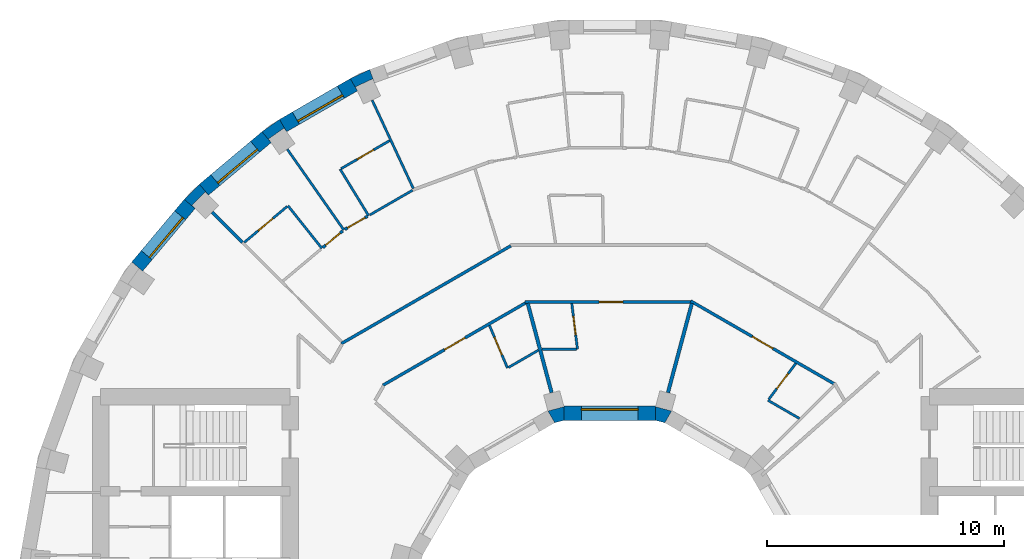
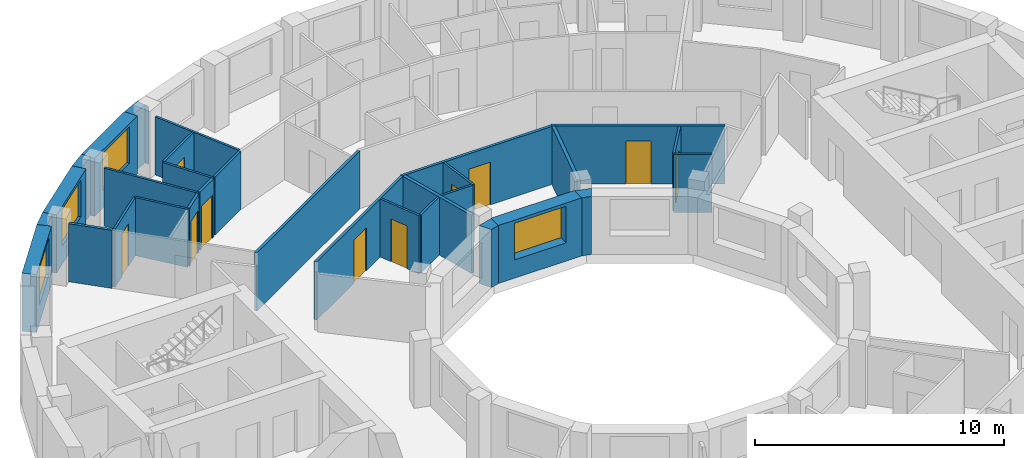
# One storey, part 11 of 15: 31 walls, 10 doors, 4 windows, 14 openings.
"""IFC4 building model written with IfcOpenShell, lengths in metres."""

import ifcopenshell
import ifcopenshell.guid

model = None  # the IFC model being written
_history = None  # IfcOwnerHistory: only IFC2X3 demands one
_inside = {}  # id of a spatial element -> (the spatial element, [elements in it])
_under = {}  # id of a project, library or spatial element -> (it, [spatial elements below it])
_declared = {}  # id of a project -> (the project, [libraries it declares])
_typed = {}  # id of a type object -> (the type object, [elements of that type])
_made_of = {}  # id of a material, layer set ... -> (it, [elements and type objects made of it])


def new_model(schema):
    """Start an empty IFC model of exactly this schema.

    Asked for "IFC4X3", IfcOpenShell would pick the latest addendum, in which some entities
    have other attributes; the version numbers below select the first issue.
    IFC2X3 requires an IfcOwnerHistory on every rooted entity: one is made here for all.
    """
    global model, _history
    if schema == "IFC4X3":
        model = ifcopenshell.file(schema_version=(4, 3, 0, 0))
    else:
        model = ifcopenshell.file(schema=schema)
    _inside.clear()
    _under.clear()
    _declared.clear()
    _typed.clear()
    _made_of.clear()
    _history = None
    if model.schema == "IFC2X3":
        org = make("IfcOrganization", Name="unknown")
        user = make(
            "IfcPersonAndOrganization",
            ThePerson=make("IfcPerson", FamilyName="unknown"),
            TheOrganization=org,
        )
        app = make(
            "IfcApplication",
            ApplicationDeveloper=org,
            Version="unknown",
            ApplicationFullName="unknown",
            ApplicationIdentifier="unknown",
        )
        _history = make(
            "IfcOwnerHistory",
            OwningUser=user,
            OwningApplication=app,
            ChangeAction="ADDED",
            CreationDate=0,
        )
    return model


def make(cls, **values):
    """One entity of the class cls with the attributes given. An attribute that is None is left unset."""
    return model.create_entity(
        cls, **{name: value for name, value in values.items() if value is not None}
    )


def rooted(cls, **values):
    """An entity with a GlobalId (a new one), such as an element, a storey or a relation."""
    return make(cls, GlobalId=ifcopenshell.guid.new(), OwnerHistory=_history, **values)


def si_unit(unit_type, name, prefix=None):
    """IfcSIUnit, for example si_unit("LENGTHUNIT", "METRE", prefix="MILLI")."""
    return make("IfcSIUnit", UnitType=unit_type, Prefix=prefix, Name=name)


def assignment(units):
    """IfcUnitAssignment: the units of a project."""
    return None if units is None else make("IfcUnitAssignment", Units=units)


def point(xyz):
    """IfcCartesianPoint."""
    return None if xyz is None else make("IfcCartesianPoint", Coordinates=xyz)


def direction(xyz):
    """IfcDirection."""
    return None if xyz is None else make("IfcDirection", DirectionRatios=xyz)


def frame(location, z_axis=None, x_axis=None):
    """IfcAxis2Placement3D, a coordinate frame: its origin and axes. An axis left out is left unset."""
    return make(
        "IfcAxis2Placement3D",
        Location=point(location),
        Axis=direction(z_axis),
        RefDirection=direction(x_axis),
    )


def frame_2d(location, x_axis=None):
    """IfcAxis2Placement2D, a coordinate frame in the plane: its origin and x axis."""
    return make(
        "IfcAxis2Placement2D", Location=point(location), RefDirection=direction(x_axis)
    )


def origin():
    """The frame at (0, 0, 0) with its axes left unset."""
    return frame((0.0, 0.0, 0.0))


def place(relative_to, where):
    """IfcLocalPlacement: puts the frame where relative to a parent placement (None: the world)."""
    return make(
        "IfcLocalPlacement", PlacementRelTo=relative_to, RelativePlacement=where
    )


def context(
    kind, dimensions, precision=None, world=None, true_north=None, identifier=None
):
    """IfcGeometricRepresentationContext, for example the 3D "Model" context."""
    return make(
        "IfcGeometricRepresentationContext",
        ContextIdentifier=identifier,
        ContextType=kind,
        CoordinateSpaceDimension=dimensions,
        Precision=precision,
        WorldCoordinateSystem=world,
        TrueNorth=true_north,
    )


def subcontext(parent, identifier, kind, view, scale=None):
    """IfcGeometricRepresentationSubContext, for example "Body" below "Model"."""
    return make(
        "IfcGeometricRepresentationSubContext",
        ContextIdentifier=identifier,
        ContextType=kind,
        ParentContext=parent,
        TargetScale=scale,
        TargetView=view,
    )


def project(units=None, contexts=None):
    """IfcProject with its units and contexts."""
    return rooted(
        "IfcProject",
        Name="project",
        RepresentationContexts=contexts,
        UnitsInContext=assignment(units),
    )


def spatial(cls, under=None, at=None, **own):
    """A site, building, storey or space (cls), placed at a placement, below another one or the project."""
    s = rooted(cls, ObjectPlacement=at, **own)
    if under is not None:
        _under.setdefault(under.id(), (under, []))[1].append(s)
    return s


def polyline(points):
    """IfcPolyline through the points."""
    return make("IfcPolyline", Points=[point(p) for p in points])


def profile(cls, at=None, kind="AREA", **sizes):
    """A parametric profile (cls). Its sizes go by their IFC names, for example OverallWidth=200.0."""
    return make(cls, ProfileType=kind, Position=at, **sizes)


def rectangle(**sizes):
    """IfcRectangleProfileDef."""
    return profile("IfcRectangleProfileDef", **sizes)


def outline(outer, holes=None, kind="AREA"):
    """IfcArbitraryClosedProfileDef: a profile drawn as a closed curve; with holes, ...WithVoids."""
    if holes is None:
        return make("IfcArbitraryClosedProfileDef", ProfileType=kind, OuterCurve=outer)
    return make(
        "IfcArbitraryProfileDefWithVoids",
        ProfileType=kind,
        OuterCurve=outer,
        InnerCurves=holes,
    )


def extrude(swept, where, along, depth):
    """IfcExtrudedAreaSolid: the profile swept, set in the frame where, extruded along a direction by depth."""
    return make(
        "IfcExtrudedAreaSolid",
        SweptArea=swept,
        Position=where,
        ExtrudedDirection=direction(along),
        Depth=depth,
    )


def shape(context_of_items, identifier, shape_type, items):
    """IfcShapeRepresentation: the items that make up one representation, for example the "Body"."""
    return make(
        "IfcShapeRepresentation",
        ContextOfItems=context_of_items,
        RepresentationIdentifier=identifier,
        RepresentationType=shape_type,
        Items=items,
    )


def material(Name=None, Category=None):
    """IfcMaterial."""
    return make("IfcMaterial", Name=Name, Category=Category)


def layer(
    of_material, thickness, ventilated=None, Name=None, Category=None, Priority=None
):
    """IfcMaterialLayer: one layer of a wall or slab, of a material (None: an air gap)."""
    return make(
        "IfcMaterialLayer",
        Material=of_material,
        LayerThickness=thickness,
        IsVentilated=ventilated,
        Name=Name,
        Category=Category,
        Priority=Priority,
    )


def layer_set(layers, Name=None):
    """IfcMaterialLayerSet."""
    return make("IfcMaterialLayerSet", MaterialLayers=layers, LayerSetName=Name)


def made_of(thing, what):
    """Note that an element or type object is made of a material, layer set ...; save() writes the relation."""
    if what is not None:
        _made_of.setdefault(what.id(), (what, []))[1].append(thing)
    return thing


def type_object(cls, material=None, **own):
    """A type object (cls), such as IfcWallType, which elements share."""
    return made_of(rooted(cls, **own), material)


def element(
    cls,
    number,
    at=None,
    inside=None,
    cuts=None,
    type_object=None,
    material=None,
    context=None,
    identifier="Body",
    shape_type=None,
    held_by="IfcProductDefinitionShape",
    body=None,
    shapes=None,
    **own,
):
    """One element of the class cls, such as IfcWall. Its Tag is "e" and its number.

    at: its placement. inside: the storey or other place that contains it. cuts: it is an
    opening in that element (IfcRelVoidsElement). A single representation is given by context,
    identifier, shape_type and body (its items); several are given by shapes. held_by: the class
    of the entity that holds the representations. save() writes the other relations.
    """
    e = rooted(cls, Tag="e%d" % number, ObjectPlacement=at, **own)
    if body is not None:
        shapes = [shape(context, identifier, shape_type, body)]
    if shapes is not None:
        e.Representation = make(held_by, Representations=shapes)
    if inside is not None:
        _inside.setdefault(inside.id(), (inside, []))[1].append(e)
    if cuts is not None:
        rooted(
            "IfcRelVoidsElement", RelatingBuildingElement=cuts, RelatedOpeningElement=e
        )
    if type_object is not None:
        _typed.setdefault(type_object.id(), (type_object, []))[1].append(e)
    return made_of(e, material)


def fill(opening, filler):
    """IfcRelFillsElement: the door or window that sits in an opening."""
    return rooted(
        "IfcRelFillsElement",
        RelatingOpeningElement=opening,
        RelatedBuildingElement=filler,
    )


def aggregate(whole, parts):
    """IfcRelAggregates: a whole, such as a stair, and the parts it consists of."""
    return rooted("IfcRelAggregates", RelatingObject=whole, RelatedObjects=parts)


def save(model, path):
    """Write the relations noted so far, then the file.

    IfcRelAggregates (storeys below a building ...), IfcRelContainedInSpatialStructure (elements
    in a storey), IfcRelDefinesByType, IfcRelAssociatesMaterial and IfcRelDeclares: one each for
    every whole, place, type object, material and project.
    """
    for whole, parts in _under.values():
        aggregate(whole, parts)
    for where, things in _inside.values():
        rooted(
            "IfcRelContainedInSpatialStructure",
            RelatedElements=things,
            RelatingStructure=where,
        )
    for kind, things in _typed.values():
        rooted("IfcRelDefinesByType", RelatedObjects=things, RelatingType=kind)
    for what, things in _made_of.values():
        rooted("IfcRelAssociatesMaterial", RelatedObjects=things, RelatingMaterial=what)
    for by, libraries in _declared.values():
        rooted("IfcRelDeclares", RelatingContext=by, RelatedDefinitions=libraries)
    model.write(path)


model = new_model("IFC4")

# Units and contexts
model_context = context("Model", 3, precision=1e-05, world=origin(), true_north=direction((0.0, 1.0)))
body_context = subcontext(model_context, "Body", "Model", "MODEL_VIEW")
ifc_project = project(units=[si_unit("LENGTHUNIT", "METRE"), si_unit("AREAUNIT", "SQUARE_METRE"), si_unit("VOLUMEUNIT", "CUBIC_METRE"), si_unit("PLANEANGLEUNIT", "RADIAN"), si_unit("MASSUNIT", "GRAM", prefix="KILO")], contexts=[model_context])

# Site, building, storey
site_placement = place(None, origin())
site = spatial("IfcSite", under=ifc_project, at=site_placement, CompositionType="ELEMENT")
building_placement = place(site_placement, origin())
building = spatial("IfcBuilding", under=site, at=building_placement, Name="Saqina Gate Tower", CompositionType="ELEMENT")
storey_placement = place(building_placement, frame((0.0, 0.0, 164.10009765625)))
storey = spatial("IfcBuildingStorey", under=building, at=storey_placement, Name="L46", CompositionType="ELEMENT", Elevation=164.10009765625)

# Walls
ifc_material_1 = material(Name="Brick masonry (buff)", Category="masonry")
wall_type_1 = type_object("IfcWallType", Name="BRICK PIER COPING BUFF", PredefinedType="SOLIDWALL", material=ifc_material_1)
wall_1_placement = place(storey_placement, origin())
element("IfcWall", 1, at=wall_1_placement, inside=storey, type_object=wall_type_1, Name="Pier cap L46 column 12", PredefinedType="SOLIDWALL", context=body_context, shape_type="SweptSolid", body=[
    extrude(outline(polyline([(-10.958740234375, 22.4306640625), (-10.65869140625, 21.9111328125), (-10.73779296875, 22.080810546875), (-10.0126953125, 22.4189453125), (-9.93359375, 22.249267578125), (-10.138916015625, 22.81298828125), (-10.958740234375, 22.4306640625)])), origin(), (0.0, 0.0, 1.0), 2.849853515625),
])
wall_2_placement = place(storey_placement, origin())
element("IfcWall", 2, at=wall_2_placement, inside=storey, type_object=wall_type_1, Name="Pier cap L46 column 13", PredefinedType="SOLIDWALL", context=body_context, shape_type="SweptSolid", body=[
    extrude(outline(polyline([(-13.9462890625, 20.705810546875), (-14.687255859375, 20.18701171875), (-14.301513671875, 19.727294921875), (-14.408935546875, 19.880859375), (-13.753662109375, 20.339599609375), (-13.646240234375, 20.186279296875), (-13.9462890625, 20.705810546875)])), origin(), (0.0, 0.0, 1.0), 2.849853515625),
])
wall_3_placement = place(storey_placement, origin())
element("IfcWall", 3, at=wall_3_placement, inside=storey, type_object=wall_type_1, Name="Pier cap L46 column 14", PredefinedType="SOLIDWALL", context=body_context, shape_type="SweptSolid", body=[
    extrude(outline(polyline([(-17.969482421875, 17.329833984375), (-17.510009765625, 16.944091796875), (-17.642333984375, 17.07666015625), (-17.07666015625, 17.642333984375), (-16.944091796875, 17.510009765625), (-17.329833984375, 17.969482421875), (-17.969482421875, 17.329833984375)])), origin(), (0.0, 0.0, 1.0), 2.849853515625),
])

# Wall, opening, window
ifc_material_2 = material(Name="Brick masonry (buff)", Category="masonry")
ifc_layer_1 = layer(ifc_material_2, 0.60009765625)
ifc_layer_set_1 = layer_set([ifc_layer_1], Name="FW-BRICK-BUFF")
wall_type_2 = type_object("IfcWallType", Name="FW-BRICK-BUFF", PredefinedType="SOLIDWALL", material=ifc_layer_set_1)
wall_4_placement = place(storey_placement, frame((-10.80859375, 22.1708984375, 0.0), z_axis=(0.0, 0.0, 1.0), x_axis=(-0.86602648383, -0.499998129301, 0.0)))
wall_4 = element("IfcWall", 4, at=wall_4_placement, inside=storey, type_object=wall_type_2, Name="Facade wall L46 facet 12", PredefinedType="SOLIDWALL", context=body_context, shape_type="SweptSolid", body=[
    extrude(rectangle(XDim=3.44970703125, YDim=0.60009765625, at=frame_2d((1.724853515625, 0.0))), origin(), (0.0, 0.0, 1.0), 2.849853515625),
])
opening_1_placement = place(wall_4_placement, frame((0.625, 0.0, 0.89990234375)))
opening_1 = element("IfcOpeningElement", 5, at=opening_1_placement, cuts=wall_4, Name="Opening G13-W10", PredefinedType="OPENING", context=body_context, shape_type="SweptSolid", body=[
    extrude(rectangle(XDim=2.199951171875, YDim=1.800048828125, at=frame_2d((1.10009765625, 0.89990234375))), frame((0.0, 0.31201171875, 0.0), z_axis=(0.0, -1.0, 0.0), x_axis=(1.0, 0.0, 0.0)), (0.0, 0.0, 1.0), 0.6240234375),
])
ifc_material_3 = material(Name="Aluminium glazing", Category="aluminium")
window_type_1 = type_object("IfcWindowType", Name="WN-C", PartitioningType="SINGLE_PANEL", PredefinedType="WINDOW", material=ifc_material_3)
window_1_placement = place(opening_1_placement, origin())
window_1 = element("IfcWindow", 6, at=window_1_placement, inside=storey, type_object=window_type_1, Name="Window L46 facet 12", OverallHeight=1.800048828125, OverallWidth=2.199951171875, PartitioningType="SINGLE_PANEL", PredefinedType="WINDOW", context=body_context, shape_type="SweptSolid", body=[
    extrude(rectangle(XDim=2.199951171875, YDim=1.800048828125, at=frame_2d((1.10009765625, 0.89990234375))), frame((0.0, 0.179931640625, 0.0), z_axis=(0.0, -1.0, 0.0), x_axis=(1.0, 0.0, 0.0)), (0.0, 0.0, 1.0), 0.06005859375),
])
fill(opening_1, window_1)

wall_5_placement = place(storey_placement, frame((-14.494384765625, 19.95703125, 0.0), z_axis=(0.0, 0.0, 1.0), x_axis=(-0.766058884809, -0.642770398358, 0.0)))
wall_5 = element("IfcWall", 7, at=wall_5_placement, inside=storey, type_object=wall_type_2, Name="Facade wall L46 facet 13", PredefinedType="SOLIDWALL", context=body_context, shape_type="SweptSolid", body=[
    extrude(rectangle(XDim=3.449462890625, YDim=0.60009765625, at=frame_2d((1.724609375, 0.0))), origin(), (0.0, 0.0, 1.0), 2.849853515625),
])
opening_2_placement = place(wall_5_placement, frame((0.625, 0.0, 0.89990234375)))
opening_2 = element("IfcOpeningElement", 8, at=opening_2_placement, cuts=wall_5, Name="Opening G13-W11", PredefinedType="OPENING", context=body_context, shape_type="SweptSolid", body=[
    extrude(rectangle(XDim=2.199951171875, YDim=1.800048828125, at=frame_2d((1.10009765625, 0.89990234375))), frame((0.0, 0.31201171875, 0.0), z_axis=(0.0, -1.0, 0.0), x_axis=(1.0, 0.0, 0.0)), (0.0, 0.0, 1.0), 0.6240234375),
])
window_2_placement = place(opening_2_placement, origin())
window_2 = element("IfcWindow", 9, at=window_2_placement, inside=storey, type_object=window_type_1, Name="Window L46 facet 13", OverallHeight=1.800048828125, OverallWidth=2.199951171875, PartitioningType="SINGLE_PANEL", PredefinedType="WINDOW", context=body_context, shape_type="SweptSolid", body=[
    extrude(rectangle(XDim=2.199951171875, YDim=1.800048828125, at=frame_2d((1.10009765625, 0.89990234375))), frame((0.0, 0.179931640625, 0.0), z_axis=(0.0, -1.0, 0.0), x_axis=(1.0, 0.0, 0.0)), (0.0, 0.0, 1.0), 0.06005859375),
])
fill(opening_2, window_2)

wall_6_placement = place(storey_placement, frame((-17.73974609375, 17.136962890625, 0.0), z_axis=(0.0, 0.0, 1.0), x_axis=(-0.642770398358, -0.766058884809, 0.0)))
wall_6 = element("IfcWall", 10, at=wall_6_placement, inside=storey, type_object=wall_type_2, Name="Facade wall L46 facet 14", PredefinedType="SOLIDWALL", context=body_context, shape_type="SweptSolid", body=[
    extrude(rectangle(XDim=3.449462890625, YDim=0.60009765625, at=frame_2d((1.724609375, 0.0))), origin(), (0.0, 0.0, 1.0), 2.849853515625),
])
opening_3_placement = place(wall_6_placement, frame((0.625, 0.0, 0.89990234375)))
opening_3 = element("IfcOpeningElement", 11, at=opening_3_placement, cuts=wall_6, Name="Opening G13-W12", PredefinedType="OPENING", context=body_context, shape_type="SweptSolid", body=[
    extrude(rectangle(XDim=2.199951171875, YDim=1.800048828125, at=frame_2d((1.10009765625, 0.89990234375))), frame((0.0, 0.31201171875, 0.0), z_axis=(0.0, -1.0, 0.0), x_axis=(1.0, 0.0, 0.0)), (0.0, 0.0, 1.0), 0.6240234375),
])
window_3_placement = place(opening_3_placement, origin())
window_3 = element("IfcWindow", 12, at=window_3_placement, inside=storey, type_object=window_type_1, Name="Window L46 facet 14", OverallHeight=1.800048828125, OverallWidth=2.199951171875, PartitioningType="SINGLE_PANEL", PredefinedType="WINDOW", context=body_context, shape_type="SweptSolid", body=[
    extrude(rectangle(XDim=2.199951171875, YDim=1.800048828125, at=frame_2d((1.10009765625, 0.89990234375))), frame((0.0, 0.179931640625, 0.0), z_axis=(0.0, -1.0, 0.0), x_axis=(1.0, 0.0, 0.0)), (0.0, 0.0, 1.0), 0.06005859375),
])
fill(opening_3, window_3)

ifc_material_4 = material(Name="Glazed ceramic tile", Category="ceramic")
ifc_layer_2 = layer(ifc_material_4, 0.60009765625)
ifc_layer_set_2 = layer_set([ifc_layer_2], Name="IW-TILE")
wall_type_3 = type_object("IfcWallType", Name="IW-TILE", PredefinedType="SOLIDWALL", material=ifc_layer_set_2)
wall_7_placement = place(storey_placement, frame((1.934814453125, 8.300048828125, 0.0), z_axis=(0.0, 0.0, 1.0), x_axis=(-1.0, 0.0, 0.0)))
wall_7 = element("IfcWall", 13, at=wall_7_placement, inside=storey, type_object=wall_type_3, Name="Well wall L46 facet 3", PredefinedType="SOLIDWALL", context=body_context, shape_type="SweptSolid", body=[
    extrude(rectangle(XDim=3.86962890625, YDim=0.60009765625, at=frame_2d((1.934814453125, 0.0))), origin(), (0.0, 0.0, 1.0), 2.849853515625),
])
opening_4_placement = place(wall_7_placement, frame((0.73486328125, 0.0, 0.89990234375)))
opening_4 = element("IfcOpeningElement", 14, at=opening_4_placement, cuts=wall_7, Name="Opening G13-W25", PredefinedType="OPENING", context=body_context, shape_type="SweptSolid", body=[
    extrude(rectangle(XDim=2.39990234375, YDim=1.800048828125, at=frame_2d((1.199951171875, 0.89990234375))), frame((0.0, 0.31201171875, 0.0), z_axis=(0.0, -1.0, 0.0), x_axis=(1.0, 0.0, 0.0)), (0.0, 0.0, 1.0), 0.6240234375),
])
ifc_material_5 = material(Name="Aluminium glazing", Category="aluminium")
window_type_2 = type_object("IfcWindowType", Name="WN-W", PartitioningType="SINGLE_PANEL", PredefinedType="WINDOW", material=ifc_material_5)
window_4_placement = place(opening_4_placement, origin())
window_4 = element("IfcWindow", 15, at=window_4_placement, inside=storey, type_object=window_type_2, Name="Well window L46 facet 3", OverallHeight=1.800048828125, OverallWidth=2.39990234375, PartitioningType="SINGLE_PANEL", PredefinedType="WINDOW", context=body_context, shape_type="SweptSolid", body=[
    extrude(rectangle(XDim=2.39990234375, YDim=1.800048828125, at=frame_2d((1.199951171875, 0.89990234375))), frame((0.0, -0.119873046875, 0.0), z_axis=(0.0, -1.0, 0.0), x_axis=(1.0, 0.0, 0.0)), (0.0, 0.0, 1.0), 0.06005859375),
])
fill(opening_4, window_4)

# Wall, opening, door
ifc_material_6 = material(Name="Gypsum board on steel studs, 100 mm", Category="steel")
ifc_layer_3 = layer(ifc_material_6, 0.10009765625)
ifc_layer_set_3 = layer_set([ifc_layer_3], Name="PARTITION 100")
wall_type_4 = type_object("IfcWallType", Name="PARTITION 100", PredefinedType="PARTITIONING", material=ifc_layer_set_3)
wall_8_placement = place(storey_placement, frame((-1.604248046875, 12.93798828125, 0.0), z_axis=(0.0, 0.0, 1.0), x_axis=(0.123019127117, -0.992404299851, 0.0)))
wall_8 = element("IfcWall", 16, at=wall_8_placement, inside=storey, type_object=wall_type_4, Name="PARTITION PW3-04", PredefinedType="PARTITIONING", context=body_context, shape_type="SweptSolid", body=[
    extrude(rectangle(XDim=1.952880859375, YDim=0.10009765625, at=frame_2d((0.9765625, 0.0))), origin(), (0.0, 0.0, 1.0), 2.849853515625),
])
opening_5_placement = place(wall_8_placement, frame((0.545166015625, 0.0, 0.0)))
opening_5 = element("IfcOpeningElement", 17, at=opening_5_placement, cuts=wall_8, Name="Opening G13-D16", PredefinedType="OPENING", context=body_context, shape_type="SweptSolid", body=[
    extrude(rectangle(XDim=0.800048828125, YDim=2.10009765625, at=frame_2d((0.39990234375, 1.050048828125))), frame((0.0, 0.06201171875, 0.0), z_axis=(0.0, -1.0, 0.0), x_axis=(1.0, 0.0, 0.0)), (0.0, 0.0, 1.0), 0.1240234375),
])
ifc_material_7 = material(Name="Timber door leaf, 800 mm", Category="wood")
door_type_1 = type_object("IfcDoorType", Name="DOOR 800 TIMBER", OperationType="SINGLE_SWING_LEFT", PredefinedType="DOOR", material=ifc_material_7)
door_1_placement = place(opening_5_placement, origin())
door_1 = element("IfcDoor", 18, at=door_1_placement, inside=storey, type_object=door_type_1, Name="DOOR G13-D16", OperationType="SINGLE_SWING_LEFT", OverallHeight=2.10009765625, OverallWidth=0.800048828125, PredefinedType="DOOR", context=body_context, shape_type="SweptSolid", body=[
    extrude(rectangle(XDim=0.800048828125, YDim=2.10009765625, at=frame_2d((0.39990234375, 1.050048828125))), frame((0.0, 0.02490234375, 0.0), z_axis=(0.0, -1.0, 0.0), x_axis=(1.0, 0.0, 0.0)), (0.0, 0.0, 1.0), 0.050048828125),
])
fill(opening_5, door_1)

wall_9_placement = place(storey_placement, frame((-5.07958984375, 12.00634765625, 0.0), z_axis=(0.0, 0.0, 1.0), x_axis=(0.389493140841, -0.92102936611, 0.0)))
wall_9 = element("IfcWall", 19, at=wall_9_placement, inside=storey, type_object=wall_type_4, Name="PARTITION PW3-08", PredefinedType="PARTITIONING", context=body_context, shape_type="SweptSolid", body=[
    extrude(rectangle(XDim=1.95263671875, YDim=0.10009765625, at=frame_2d((0.976318359375, 0.0))), origin(), (0.0, 0.0, 1.0), 2.849853515625),
])
opening_6_placement = place(wall_9_placement, frame((0.545166015625, 0.0, 0.0)))
opening_6 = element("IfcOpeningElement", 20, at=opening_6_placement, cuts=wall_9, Name="Opening G13-D20", PredefinedType="OPENING", context=body_context, shape_type="SweptSolid", body=[
    extrude(rectangle(XDim=0.800048828125, YDim=2.10009765625, at=frame_2d((0.39990234375, 1.050048828125))), frame((0.0, 0.06201171875, 0.0), z_axis=(0.0, -1.0, 0.0), x_axis=(1.0, 0.0, 0.0)), (0.0, 0.0, 1.0), 0.1240234375),
])
door_2_placement = place(opening_6_placement, frame((0.800048828125, 0.0, 0.0), z_axis=(0.0, 0.0, 1.0), x_axis=(-1.0, 0.0, 0.0)))
door_2 = element("IfcDoor", 21, at=door_2_placement, inside=storey, type_object=door_type_1, Name="DOOR G13-D20", OperationType="SINGLE_SWING_RIGHT", OverallHeight=2.10009765625, OverallWidth=0.800048828125, PredefinedType="DOOR", context=body_context, shape_type="SweptSolid", body=[
    extrude(rectangle(XDim=0.800048828125, YDim=2.10009765625, at=frame_2d((0.39990234375, 1.050048828125))), frame((0.0, 0.02490234375, 0.0), z_axis=(0.0, -1.0, 0.0), x_axis=(1.0, 0.0, 0.0)), (0.0, 0.0, 1.0), 0.050048828125),
])
fill(opening_6, door_2)

# Walls
wall_10_placement = place(storey_placement, frame((-10.032470703125, 21.51611328125, 0.0), z_axis=(0.0, 0.0, 1.0), x_axis=(0.422407439585, -0.906406065173, 0.0)))
element("IfcWall", 22, at=wall_10_placement, inside=storey, type_object=wall_type_4, Name="PARTITION PW3-09", PredefinedType="PARTITIONING", context=body_context, shape_type="SweptSolid", body=[
    extrude(rectangle(XDim=4.110595703125, YDim=0.10009765625, at=frame_2d((2.05517578125, 0.0))), origin(), (0.0, 0.0, 1.0), 2.849853515625),
])
wall_11_placement = place(storey_placement, frame((-11.385009765625, 18.60498046875, 0.0), z_axis=(0.0, 0.0, 1.0), x_axis=(0.522076659847, -0.852898564451, 0.0)))
element("IfcWall", 23, at=wall_11_placement, inside=storey, type_object=wall_type_4, Name="PARTITION PW3-11", PredefinedType="PARTITIONING", context=body_context, shape_type="SweptSolid", body=[
    extrude(rectangle(XDim=2.30029296875, YDim=0.10009765625, at=frame_2d((1.150146484375, 0.0))), origin(), (0.0, 0.0, 1.0), 2.849853515625),
])
wall_12_placement = place(storey_placement, frame((-13.616943359375, 19.446533203125, 0.0), z_axis=(0.0, 0.0, 1.0), x_axis=(0.573631652668, -0.819113378634, 0.0)))
element("IfcWall", 24, at=wall_12_placement, inside=storey, type_object=wall_type_4, Name="PARTITION PW3-13", PredefinedType="PARTITIONING", context=body_context, shape_type="SweptSolid", body=[
    extrude(rectangle(XDim=4.1611328125, YDim=0.10009765625, at=frame_2d((2.08056640625, 0.0))), origin(), (0.0, 0.0, 1.0), 2.849853515625),
])
wall_13_placement = place(storey_placement, frame((-13.589111328125, 17.06103515625, 0.0), z_axis=(0.0, 0.0, 1.0), x_axis=(0.623062698495, -0.782171895266, 0.0)))
element("IfcWall", 25, at=wall_13_placement, inside=storey, type_object=wall_type_4, Name="PARTITION PW3-15", PredefinedType="PARTITIONING", context=body_context, shape_type="SweptSolid", body=[
    extrude(rectangle(XDim=2.300048828125, YDim=0.10009765625, at=frame_2d((1.14990234375, 0.0))), origin(), (0.0, 0.0, 1.0), 2.849853515625),
])
wall_14_placement = place(storey_placement, frame((6.680908203125, 8.843994140625, 0.0), z_axis=(0.0, 0.0, 1.0), x_axis=(0.866336585673, -0.499460629403, 0.0)))
element("IfcWall", 26, at=wall_14_placement, inside=storey, type_object=wall_type_4, Name="PARTITION PW3-24", PredefinedType="PARTITIONING", context=body_context, shape_type="SweptSolid", body=[
    extrude(rectangle(XDim=1.533935546875, YDim=0.10009765625, at=frame_2d((0.76708984375, 0.0))), origin(), (0.0, 0.0, 1.0), 2.849853515625),
])
wall_15_placement = place(storey_placement, frame((-2.8720703125, 11.0, 0.0), z_axis=(0.0, 0.0, 1.0), x_axis=(1.0, 0.0, 0.0)))
element("IfcWall", 27, at=wall_15_placement, inside=storey, type_object=wall_type_4, Name="PARTITION PW3-34", PredefinedType="PARTITIONING", context=body_context, shape_type="SweptSolid", body=[
    extrude(rectangle(XDim=1.4580078125, YDim=0.10009765625, at=frame_2d((0.72900390625, 0.0))), origin(), (0.0, 0.0, 1.0), 2.849853515625),
])
wall_16_placement = place(storey_placement, frame((-4.275634765625, 10.23291015625, 0.0), z_axis=(0.0, 0.0, 1.0), x_axis=(0.866051847062, 0.499954196102, 0.0)))
element("IfcWall", 28, at=wall_16_placement, inside=storey, type_object=wall_type_4, Name="PARTITION PW3-44", PredefinedType="PARTITIONING", context=body_context, shape_type="SweptSolid", body=[
    extrude(rectangle(XDim=1.459228515625, YDim=0.10009765625, at=frame_2d((0.7294921875, 0.0))), origin(), (0.0, 0.0, 1.0), 2.849853515625),
])
wall_17_placement = place(storey_placement, frame((-10.1298828125, 16.67431640625, 0.0), z_axis=(0.0, 0.0, 1.0), x_axis=(0.866052632827, 0.499952834948, 0.0)))
element("IfcWall", 29, at=wall_17_placement, inside=storey, type_object=wall_type_4, Name="PARTITION PW3-45", PredefinedType="PARTITIONING", context=body_context, shape_type="SweptSolid", body=[
    extrude(rectangle(XDim=2.079345703125, YDim=0.10009765625, at=frame_2d((1.03955078125, 0.0))), origin(), (0.0, 0.0, 1.0), 2.849853515625),
])

# Wall, opening, door
wall_18_placement = place(storey_placement, frame((-11.341796875, 18.6298828125, 0.0), z_axis=(0.0, 0.0, 1.0), x_axis=(0.866139183788, 0.49980287545, 0.0)))
wall_18 = element("IfcWall", 30, at=wall_18_placement, inside=storey, type_object=wall_type_4, Name="PARTITION PW3-46", PredefinedType="PARTITIONING", context=body_context, shape_type="SweptSolid", body=[
    extrude(rectangle(XDim=2.365234375, YDim=0.10009765625, at=frame_2d((1.1826171875, 0.0))), origin(), (0.0, 0.0, 1.0), 2.849853515625),
])
opening_7_placement = place(wall_18_placement, frame((0.782470703125, 0.0, 0.0)))
opening_7 = element("IfcOpeningElement", 31, at=opening_7_placement, cuts=wall_18, Name="Opening G13-D21", PredefinedType="OPENING", context=body_context, shape_type="SweptSolid", body=[
    extrude(rectangle(XDim=0.800048828125, YDim=2.10009765625, at=frame_2d((0.39990234375, 1.050048828125))), frame((0.0, 0.06201171875, 0.0), z_axis=(0.0, -1.0, 0.0), x_axis=(1.0, 0.0, 0.0)), (0.0, 0.0, 1.0), 0.1240234375),
])
door_3_placement = place(opening_7_placement, origin())
door_3 = element("IfcDoor", 32, at=door_3_placement, inside=storey, type_object=door_type_1, Name="DOOR G13-D21", OperationType="SINGLE_SWING_RIGHT", OverallHeight=2.10009765625, OverallWidth=0.800048828125, PredefinedType="DOOR", context=body_context, shape_type="SweptSolid", body=[
    extrude(rectangle(XDim=0.800048828125, YDim=2.10009765625, at=frame_2d((0.39990234375, 1.050048828125))), frame((0.0, 0.02490234375, 0.0), z_axis=(0.0, -1.0, 0.0), x_axis=(1.0, 0.0, 0.0)), (0.0, 0.0, 1.0), 0.050048828125),
])
fill(opening_7, door_3)

wall_19_placement = place(storey_placement, frame((-15.4375, 15.510009765625, 0.0), z_axis=(0.0, 0.0, 1.0), x_axis=(0.766091436164, 0.642731601399, 0.0)))
wall_19 = element("IfcWall", 33, at=wall_19_placement, inside=storey, type_object=wall_type_4, Name="PARTITION PW3-51", PredefinedType="PARTITIONING", context=body_context, shape_type="SweptSolid", body=[
    extrude(rectangle(XDim=2.363037109375, YDim=0.10009765625, at=frame_2d((1.181640625, 0.0))), origin(), (0.0, 0.0, 1.0), 2.849853515625),
])
opening_8_placement = place(wall_19_placement, frame((0.78076171875, 0.0, 0.0)))
opening_8 = element("IfcOpeningElement", 34, at=opening_8_placement, cuts=wall_19, Name="Opening G13-D25", PredefinedType="OPENING", context=body_context, shape_type="SweptSolid", body=[
    extrude(rectangle(XDim=0.800048828125, YDim=2.10009765625, at=frame_2d((0.39990234375, 1.050048828125))), frame((0.0, 0.06201171875, 0.0), z_axis=(0.0, -1.0, 0.0), x_axis=(1.0, 0.0, 0.0)), (0.0, 0.0, 1.0), 0.1240234375),
])
door_4_placement = place(opening_8_placement, origin())
door_4 = element("IfcDoor", 35, at=door_4_placement, inside=storey, type_object=door_type_1, Name="DOOR G13-D25", OperationType="SINGLE_SWING_LEFT", OverallHeight=2.10009765625, OverallWidth=0.800048828125, PredefinedType="DOOR", context=body_context, shape_type="SweptSolid", body=[
    extrude(rectangle(XDim=0.800048828125, YDim=2.10009765625, at=frame_2d((0.39990234375, 1.050048828125))), frame((0.0, 0.02490234375, 0.0), z_axis=(0.0, -1.0, 0.0), x_axis=(1.0, 0.0, 0.0)), (0.0, 0.0, 1.0), 0.050048828125),
])
fill(opening_8, door_4)

wall_20_placement = place(storey_placement, frame((6.711181640625, 8.8837890625, 0.0), z_axis=(0.0, 0.0, 1.0), x_axis=(0.602582661098, 0.798056474533, 0.0)))
wall_20 = element("IfcWall", 36, at=wall_20_placement, inside=storey, type_object=wall_type_4, Name="PARTITION PW3-53", PredefinedType="PARTITIONING", context=body_context, shape_type="SweptSolid", body=[
    extrude(rectangle(XDim=1.9033203125, YDim=0.10009765625, at=frame_2d((0.95166015625, 0.0))), origin(), (0.0, 0.0, 1.0), 2.849853515625),
])
opening_9_placement = place(wall_20_placement, frame((0.55810546875, 0.0, 0.0)))
opening_9 = element("IfcOpeningElement", 37, at=opening_9_placement, cuts=wall_20, Name="Opening G13-D03", PredefinedType="OPENING", context=body_context, shape_type="SweptSolid", body=[
    extrude(rectangle(XDim=0.800048828125, YDim=2.10009765625, at=frame_2d((0.39990234375, 1.050048828125))), frame((0.0, 0.06201171875, 0.0), z_axis=(0.0, -1.0, 0.0), x_axis=(1.0, 0.0, 0.0)), (0.0, 0.0, 1.0), 0.1240234375),
])
door_5_placement = place(opening_9_placement, origin())
door_5 = element("IfcDoor", 38, at=door_5_placement, inside=storey, type_object=door_type_1, Name="DOOR G13-D03", OperationType="SINGLE_SWING_RIGHT", OverallHeight=2.10009765625, OverallWidth=0.800048828125, PredefinedType="DOOR", context=body_context, shape_type="SweptSolid", body=[
    extrude(rectangle(XDim=0.800048828125, YDim=2.10009765625, at=frame_2d((0.39990234375, 1.050048828125))), frame((0.0, 0.02490234375, 0.0), z_axis=(0.0, -1.0, 0.0), x_axis=(1.0, 0.0, 0.0)), (0.0, 0.0, 1.0), 0.050048828125),
])
fill(opening_9, door_5)

# Wall
ifc_material_8 = material(Name="Gypsum board on steel studs, 125 mm, fire rated", Category="steel")
ifc_layer_4 = layer(ifc_material_8, 0.125)
ifc_layer_set_4 = layer_set([ifc_layer_4], Name="PARTITION EI 30 125")
wall_type_5 = type_object("IfcWallType", Name="PARTITION EI 30 125", PredefinedType="PARTITIONING", material=ifc_layer_set_4)
wall_21_placement = place(storey_placement, frame((-16.78662109375, 16.78662109375, 0.0), z_axis=(0.0, 0.0, 1.0), x_axis=(0.707106781187, -0.707106781187, 0.0)))
element("IfcWall", 39, at=wall_21_placement, inside=storey, type_object=wall_type_5, Name="PARTITION PW1-05", PredefinedType="PARTITIONING", context=body_context, shape_type="SweptSolid", body=[
    extrude(rectangle(XDim=1.80224609375, YDim=0.125, at=frame_2d((0.901123046875, 0.0))), origin(), (0.0, 0.0, 1.0), 2.849853515625),
])

# Wall, opening, door
wall_22_placement = place(storey_placement, frame((3.42041015625, 13.0361328125, 0.0), z_axis=(0.0, 0.0, 1.0), x_axis=(0.866077207726, -0.499910262205, 0.0)))
wall_22 = element("IfcWall", 40, at=wall_22_placement, inside=storey, type_object=wall_type_5, Name="PARTITION PW1-12", PredefinedType="PARTITIONING", context=body_context, shape_type="SweptSolid", body=[
    extrude(rectangle(XDim=6.976806640625, YDim=0.125, at=frame_2d((3.48828125, 0.0))), origin(), (0.0, 0.0, 1.0), 2.849853515625),
])
opening_10_placement = place(wall_22_placement, frame((3.0048828125, 0.0, 0.0)))
opening_10 = element("IfcOpeningElement", 41, at=opening_10_placement, cuts=wall_22, Name="Opening G13-D05", PredefinedType="OPENING", context=body_context, shape_type="SweptSolid", body=[
    extrude(rectangle(XDim=1.0, YDim=2.10009765625, at=frame_2d((0.5, 1.050048828125))), frame((0.0, 0.074462890625, 0.0), z_axis=(0.0, -1.0, 0.0), x_axis=(1.0, 0.0, 0.0)), (0.0, 0.0, 1.0), 0.14892578125),
])
ifc_material_9 = material(Name="Fire door leaf EI 30, 1000 mm")
door_type_2 = type_object("IfcDoorType", Name="DOOR 1000 EI 30", OperationType="SINGLE_SWING_LEFT", PredefinedType="DOOR", material=ifc_material_9)
door_6_placement = place(opening_10_placement, frame((1.0, 0.0, 0.0), z_axis=(0.0, 0.0, 1.0), x_axis=(-1.0, 0.0, 0.0)))
door_6 = element("IfcDoor", 42, at=door_6_placement, inside=storey, type_object=door_type_2, Name="DOOR G13-D05", OperationType="SINGLE_SWING_LEFT", OverallHeight=2.10009765625, OverallWidth=1.0, PredefinedType="DOOR", context=body_context, shape_type="SweptSolid", body=[
    extrude(rectangle(XDim=1.0, YDim=2.10009765625, at=frame_2d((0.5, 1.050048828125))), frame((0.0, 0.02490234375, 0.0), z_axis=(0.0, -1.0, 0.0), x_axis=(1.0, 0.0, 0.0)), (0.0, 0.0, 1.0), 0.050048828125),
])
fill(opening_10, door_6)

wall_23_placement = place(storey_placement, frame((-3.569580078125, 13.0, 0.0), z_axis=(0.0, 0.0, 1.0), x_axis=(1.0, 0.0, 0.0)))
wall_23 = element("IfcWall", 43, at=wall_23_placement, inside=storey, type_object=wall_type_5, Name="PARTITION PW1-19", PredefinedType="PARTITIONING", context=body_context, shape_type="SweptSolid", body=[
    extrude(rectangle(XDim=6.989990234375, YDim=0.125, at=frame_2d((3.4951171875, 0.0))), origin(), (0.0, 0.0, 1.0), 2.849853515625),
])
opening_11_placement = place(wall_23_placement, frame((3.1201171875, 0.0, 0.0)))
opening_11 = element("IfcOpeningElement", 44, at=opening_11_placement, cuts=wall_23, Name="Opening G13-D13", PredefinedType="OPENING", context=body_context, shape_type="SweptSolid", body=[
    extrude(rectangle(XDim=1.0, YDim=2.10009765625, at=frame_2d((0.5, 1.050048828125))), frame((0.0, 0.074462890625, 0.0), z_axis=(0.0, -1.0, 0.0), x_axis=(1.0, 0.0, 0.0)), (0.0, 0.0, 1.0), 0.14892578125),
])
door_7_placement = place(opening_11_placement, frame((1.0, 0.0, 0.0), z_axis=(0.0, 0.0, 1.0), x_axis=(-1.0, 0.0, 0.0)))
door_7 = element("IfcDoor", 45, at=door_7_placement, inside=storey, type_object=door_type_2, Name="DOOR G13-D13", OperationType="SINGLE_SWING_LEFT", OverallHeight=2.10009765625, OverallWidth=1.0, PredefinedType="DOOR", context=body_context, shape_type="SweptSolid", body=[
    extrude(rectangle(XDim=1.0, YDim=2.10009765625, at=frame_2d((0.5, 1.050048828125))), frame((0.0, 0.02490234375, 0.0), z_axis=(0.0, -1.0, 0.0), x_axis=(1.0, 0.0, 0.0)), (0.0, 0.0, 1.0), 0.050048828125),
])
fill(opening_11, door_7)

wall_24_placement = place(storey_placement, frame((-9.57958984375, 9.48095703125, 0.0), z_axis=(0.0, 0.0, 1.0), x_axis=(0.866086354705, 0.499894415045, 0.0)))
wall_24 = element("IfcWall", 46, at=wall_24_placement, inside=storey, type_object=wall_type_5, Name="PARTITION PW1-26", PredefinedType="PARTITIONING", context=body_context, shape_type="SweptSolid", body=[
    extrude(rectangle(XDim=6.96435546875, YDim=0.125, at=frame_2d((3.482177734375, 0.0))), origin(), (0.0, 0.0, 1.0), 2.849853515625),
])
opening_12_placement = place(wall_24_placement, frame((3.0048828125, 0.0, 0.0)))
opening_12 = element("IfcOpeningElement", 47, at=opening_12_placement, cuts=wall_24, Name="Opening G13-D22", PredefinedType="OPENING", context=body_context, shape_type="SweptSolid", body=[
    extrude(rectangle(XDim=1.0, YDim=2.10009765625, at=frame_2d((0.5, 1.050048828125))), frame((0.0, 0.074462890625, 0.0), z_axis=(0.0, -1.0, 0.0), x_axis=(1.0, 0.0, 0.0)), (0.0, 0.0, 1.0), 0.14892578125),
])
door_8_placement = place(opening_12_placement, frame((1.0, 0.0, 0.0), z_axis=(0.0, 0.0, 1.0), x_axis=(-1.0, 0.0, 0.0)))
door_8 = element("IfcDoor", 48, at=door_8_placement, inside=storey, type_object=door_type_2, Name="DOOR G13-D22", OperationType="SINGLE_SWING_LEFT", OverallHeight=2.10009765625, OverallWidth=1.0, PredefinedType="DOOR", context=body_context, shape_type="SweptSolid", body=[
    extrude(rectangle(XDim=1.0, YDim=2.10009765625, at=frame_2d((0.5, 1.050048828125))), frame((0.0, 0.02490234375, 0.0), z_axis=(0.0, -1.0, 0.0), x_axis=(1.0, 0.0, 0.0)), (0.0, 0.0, 1.0), 0.050048828125),
])
fill(opening_12, door_8)

# Wall
wall_25_placement = place(storey_placement, frame((-11.33642578125, 11.23779296875, 0.0), z_axis=(0.0, 0.0, 1.0), x_axis=(0.866067506982, 0.499927068031, 0.0)))
element("IfcWall", 49, at=wall_25_placement, inside=storey, type_object=wall_type_5, Name="PARTITION PW1-27", PredefinedType="PARTITIONING", context=body_context, shape_type="SweptSolid", body=[
    extrude(rectangle(XDim=8.262939453125, YDim=0.125, at=frame_2d((4.13134765625, 0.0))), origin(), (0.0, 0.0, 1.0), 2.849853515625),
])

# Wall, opening, door
wall_26_placement = place(storey_placement, frame((-11.186767578125, 16.06298828125, 0.0), z_axis=(0.0, 0.0, 1.0), x_axis=(0.865888396158, 0.500237229121, 0.0)))
wall_26 = element("IfcWall", 50, at=wall_26_placement, inside=storey, type_object=wall_type_5, Name="PARTITION PW1-28", PredefinedType="PARTITIONING", context=body_context, shape_type="SweptSolid", body=[
    extrude(rectangle(XDim=1.1083984375, YDim=0.125, at=frame_2d((0.55419921875, 0.0))), origin(), (0.0, 0.0, 1.0), 2.849853515625),
])
opening_13_placement = place(wall_26_placement, frame((0.129150390625, 0.0, 0.0)))
opening_13 = element("IfcOpeningElement", 51, at=opening_13_placement, cuts=wall_26, Name="Opening G13-D23", PredefinedType="OPENING", context=body_context, shape_type="SweptSolid", body=[
    extrude(rectangle(XDim=0.85009765625, YDim=2.10009765625, at=frame_2d((0.425048828125, 1.050048828125))), frame((0.0, 0.074462890625, 0.0), z_axis=(0.0, -1.0, 0.0), x_axis=(1.0, 0.0, 0.0)), (0.0, 0.0, 1.0), 0.14892578125),
])
ifc_material_10 = material(Name="Fire door leaf EI 30, 850 mm")
door_type_3 = type_object("IfcDoorType", Name="DOOR 850 EI 30", OperationType="SINGLE_SWING_LEFT", PredefinedType="DOOR", material=ifc_material_10)
door_9_placement = place(opening_13_placement, frame((0.85009765625, 0.0, 0.0), z_axis=(0.0, 0.0, 1.0), x_axis=(-1.0, 0.0, 0.0)))
door_9 = element("IfcDoor", 52, at=door_9_placement, inside=storey, type_object=door_type_3, Name="DOOR G13-D23", OperationType="SINGLE_SWING_RIGHT", OverallHeight=2.10009765625, OverallWidth=0.85009765625, PredefinedType="DOOR", context=body_context, shape_type="SweptSolid", body=[
    extrude(rectangle(XDim=0.85009765625, YDim=2.10009765625, at=frame_2d((0.425048828125, 1.050048828125))), frame((0.0, 0.02490234375, 0.0), z_axis=(0.0, -1.0, 0.0), x_axis=(1.0, 0.0, 0.0)), (0.0, 0.0, 1.0), 0.050048828125),
])
fill(opening_13, door_9)

wall_27_placement = place(storey_placement, frame((-12.1181640625, 15.29443359375, 0.0), z_axis=(0.0, 0.0, 1.0), x_axis=(0.766831623153, 0.641848316764, 0.0)))
wall_27 = element("IfcWall", 53, at=wall_27_placement, inside=storey, type_object=wall_type_5, Name="PARTITION PW1-29", PredefinedType="PARTITIONING", context=body_context, shape_type="SweptSolid", body=[
    extrude(rectangle(XDim=1.095947265625, YDim=0.125, at=frame_2d((0.5478515625, 0.0))), origin(), (0.0, 0.0, 1.0), 2.849853515625),
])
opening_14_placement = place(wall_27_placement, frame((0.154052734375, 0.0, 0.0)))
opening_14 = element("IfcOpeningElement", 54, at=opening_14_placement, cuts=wall_27, Name="Opening G13-D24", PredefinedType="OPENING", context=body_context, shape_type="SweptSolid", body=[
    extrude(rectangle(XDim=0.800048828125, YDim=2.10009765625, at=frame_2d((0.39990234375, 1.050048828125))), frame((0.0, 0.074462890625, 0.0), z_axis=(0.0, -1.0, 0.0), x_axis=(1.0, 0.0, 0.0)), (0.0, 0.0, 1.0), 0.14892578125),
])
ifc_material_11 = material(Name="Fire door leaf EI 30, 800 mm")
door_type_4 = type_object("IfcDoorType", Name="DOOR 800 EI 30", OperationType="SINGLE_SWING_LEFT", PredefinedType="DOOR", material=ifc_material_11)
door_10_placement = place(opening_14_placement, frame((0.800048828125, 0.0, 0.0), z_axis=(0.0, 0.0, 1.0), x_axis=(-1.0, 0.0, 0.0)))
door_10 = element("IfcDoor", 55, at=door_10_placement, inside=storey, type_object=door_type_4, Name="DOOR G13-D24", OperationType="SINGLE_SWING_LEFT", OverallHeight=2.10009765625, OverallWidth=0.800048828125, PredefinedType="DOOR", context=body_context, shape_type="SweptSolid", body=[
    extrude(rectangle(XDim=0.800048828125, YDim=2.10009765625, at=frame_2d((0.39990234375, 1.050048828125))), frame((0.0, 0.02490234375, 0.0), z_axis=(0.0, -1.0, 0.0), x_axis=(1.0, 0.0, 0.0)), (0.0, 0.0, 1.0), 0.050048828125),
])
fill(opening_14, door_10)

# Walls
ifc_material_12 = material(Name="Gypsum board on steel studs, 150 mm, fire rated", Category="steel")
ifc_layer_5 = layer(ifc_material_12, 0.14990234375)
ifc_layer_set_5 = layer_set([ifc_layer_5], Name="PARTITION EI 60 150")
wall_type_6 = type_object("IfcWallType", Name="PARTITION EI 60 150", PredefinedType="PARTITIONING", material=ifc_layer_set_5)
for number, where, z_axis, x_axis, name in (
    (56, (-3.46435546875, 12.940185546875, 0.0), (0.0, 0.0, 1.0), (0.258176450785, -0.966097779865, 0.0), "PARTITION PW2-01"),
    (57, (2.45703125, 9.168701171875, 0.0), (0.0, 0.0, 1.0), (0.258732959093, 0.965948888854, 0.0), "PARTITION PW2-05"),
):
    element("IfcWall", number, at=place(storey_placement, frame(where, z_axis=z_axis, x_axis=x_axis)), inside=storey, type_object=wall_type_6, Name=name, PredefinedType="PARTITIONING", context=body_context, shape_type="SweptSolid", body=[
        extrude(rectangle(XDim=3.903564453125, YDim=0.14990234375, at=frame_2d((1.95166015625, 0.0))), origin(), (0.0, 0.0, 1.0), 2.849853515625),
    ])
ifc_material_13 = material(Name="Glazed ceramic tile", Category="ceramic")
wall_type_7 = type_object("IfcWallType", Name="TILE PIER COPING", PredefinedType="SOLIDWALL", material=ifc_material_13)
wall_28_placement = place(storey_placement, origin())
element("IfcWall", 58, at=wall_28_placement, inside=storey, type_object=wall_type_7, Name="Well pier cap L46 column 3", PredefinedType="SOLIDWALL", context=body_context, shape_type="SweptSolid", body=[
    extrude(outline(polyline([(1.934814453125, 8.573486328125), (1.934814453125, 8.0), (2.32421875, 7.895751953125), (2.611083984375, 8.392333984375), (1.934814453125, 8.573486328125)])), origin(), (0.0, 0.0, 1.0), 2.849853515625),
])
wall_29_placement = place(storey_placement, origin())
element("IfcWall", 59, at=wall_29_placement, inside=storey, type_object=wall_type_7, Name="Well pier cap L46 column 4", PredefinedType="SOLIDWALL", context=body_context, shape_type="SweptSolid", body=[
    extrude(outline(polyline([(-1.934814453125, 8.0), (-1.934814453125, 8.573486328125), (-2.611083984375, 8.392333984375), (-2.32421875, 7.895751953125), (-1.934814453125, 8.0)])), origin(), (0.0, 0.0, 1.0), 2.849853515625),
])

save(model, "model.ifc")
